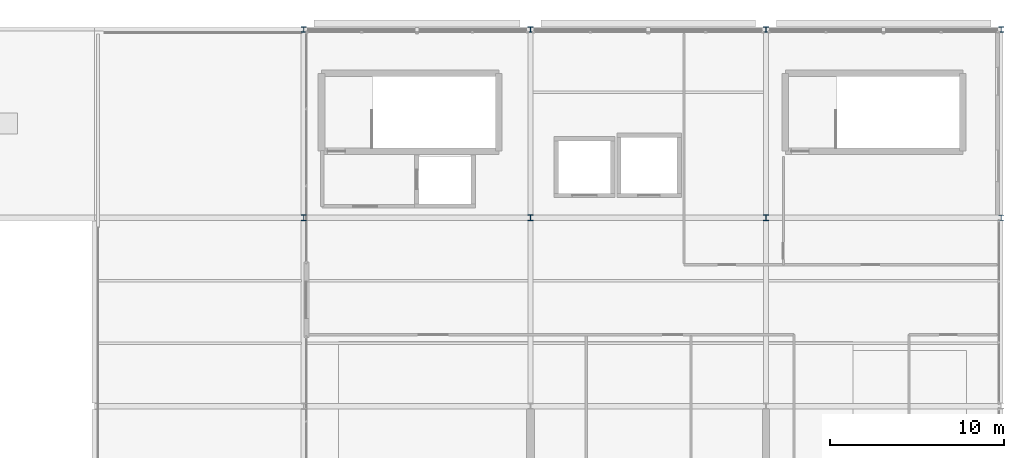
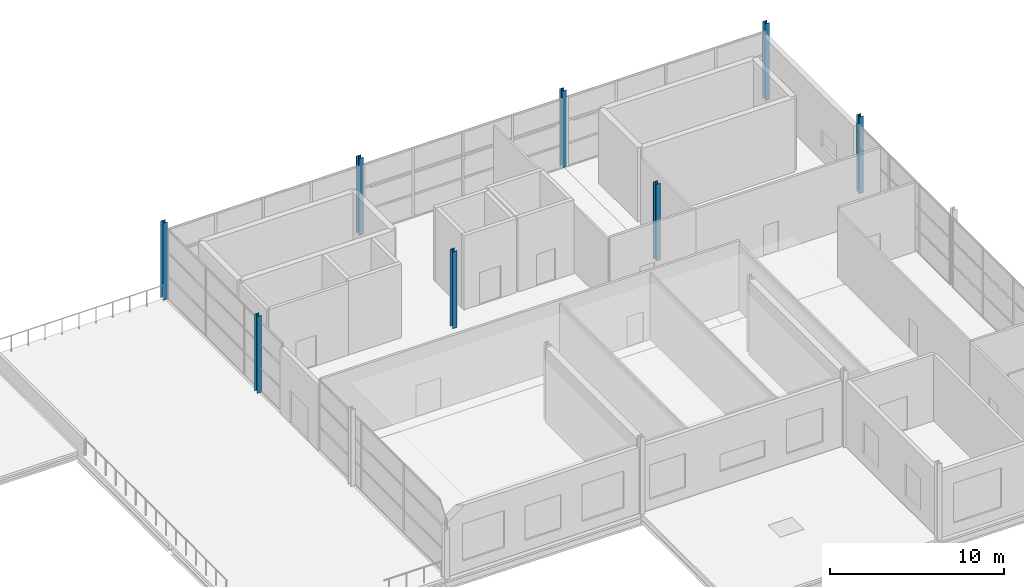
# One storey, part 3 of 34: 8 columns.
"""IFC4 building model written with IfcOpenShell, lengths in metres."""

from ifc_helpers import new_model, si_unit, direction, frame, origin, origin_2d, place, context, subcontext, project, spatial, i_section, extrude, material, material_profile, profile_set, type_object, element, save


model = new_model("IFC4")

# Units and contexts
model_context = context("Model", 3, precision=1e-05, world=origin(), true_north=direction((0.0, 1.0)))
body_context = subcontext(model_context, "Body", "Model", "MODEL_VIEW")
ifc_project = project(units=[si_unit("LENGTHUNIT", "METRE"), si_unit("AREAUNIT", "SQUARE_METRE"), si_unit("VOLUMEUNIT", "CUBIC_METRE"), si_unit("PLANEANGLEUNIT", "RADIAN"), si_unit("MASSUNIT", "GRAM", prefix="KILO")], contexts=[model_context])

# Site, building, storey
site_placement = place(None, origin())
site = spatial("IfcSite", under=ifc_project, at=site_placement, CompositionType="ELEMENT")
building_placement = place(site_placement, origin())
building = spatial("IfcBuilding", under=site, at=building_placement, Name="Tamarisk Ironworks Central Station", CompositionType="ELEMENT")
storey_placement = place(building_placement, frame((0.0, 0.0, 25.199951171875)))
storey = spatial("IfcBuildingStorey", under=building, at=storey_placement, Name="L05", CompositionType="ELEMENT", Elevation=25.199951171875)

# Columns
ifc_material = material(Name="Structural steel S355J2", Category="steel")
ifc_material_profile_1 = material_profile(ifc_material, i_section(OverallWidth=0.300048828125, OverallDepth=0.320068359375, WebThickness=0.011474609375, FlangeThickness=0.0205078125, at=origin_2d()), Name="HEB 320")
ifc_profile_set_1 = profile_set([ifc_material_profile_1], Name="Structural steel S355J2")
column_type_1 = type_object("IfcColumnType", Name="COL-S11", PredefinedType="COLUMN", material=ifc_profile_set_1)
for number, where, z_axis, x_axis, name in (
    (1, (140.0, 111.60009765625, 0.0), (0.0, 0.0, 1.0), (1.0, 0.0, 0.0), "L05 column V5-17L"),
    (2, (153.0, 111.60009765625, 0.0), (0.0, 0.0, 1.0), (1.0, 0.0, 0.0), "L05 column V5-18L"),
    (3, (166.5, 111.60009765625, 0.0), (0.0, 0.0, 1.0), (1.0, 0.0, 0.0), "L05 column V5-19L"),
):
    element("IfcColumn", number, at=place(storey_placement, frame(where, z_axis=z_axis, x_axis=x_axis)), inside=storey, type_object=column_type_1, Name=name, PredefinedType="COLUMN", context=body_context, shape_type="SweptSolid", body=[
        extrude(i_section(OverallWidth=0.300048828125, OverallDepth=0.320068359375, WebThickness=0.011474609375, FlangeThickness=0.0205078125, at=origin_2d()), origin(), (0.0, 0.0, 1.0), 5.400146484375),
    ])
ifc_material_profile_2 = material_profile(ifc_material, i_section(OverallWidth=0.300048828125, OverallDepth=0.300048828125, WebThickness=0.010986328125, FlangeThickness=0.01904296875, at=origin_2d()), Name="HEB 300")
ifc_profile_set_2 = profile_set([ifc_material_profile_2], Name="Structural steel S355J2")
column_type_2 = type_object("IfcColumnType", Name="COL-S12", PredefinedType="COLUMN", material=ifc_profile_set_2)
for number, where, z_axis, x_axis, name in (
    (4, (140.0, 122.39990234375, 0.0), (0.0, 0.0, 1.0), (1.0, 0.0, 0.0), "L05 column V5-17N"),
    (5, (153.0, 122.39990234375, 0.0), (0.0, 0.0, 1.0), (1.0, 0.0, 0.0), "L05 column V5-18N"),
    (6, (166.5, 122.39990234375, 0.0), (0.0, 0.0, 1.0), (1.0, 0.0, 0.0), "L05 column V5-19N"),
    (7, (180.0, 111.60009765625, 0.0), (0.0, 0.0, 1.0), (1.0, 0.0, 0.0), "L05 column V5-20L"),
    (8, (180.0, 122.39990234375, 0.0), (0.0, 0.0, 1.0), (1.0, 0.0, 0.0), "L05 column V5-20N"),
):
    element("IfcColumn", number, at=place(storey_placement, frame(where, z_axis=z_axis, x_axis=x_axis)), inside=storey, type_object=column_type_2, Name=name, PredefinedType="COLUMN", context=body_context, shape_type="SweptSolid", body=[
        extrude(i_section(OverallWidth=0.300048828125, OverallDepth=0.300048828125, WebThickness=0.010986328125, FlangeThickness=0.01904296875, at=origin_2d()), origin(), (0.0, 0.0, 1.0), 5.400146484375),
    ])

save(model, "model.ifc")
